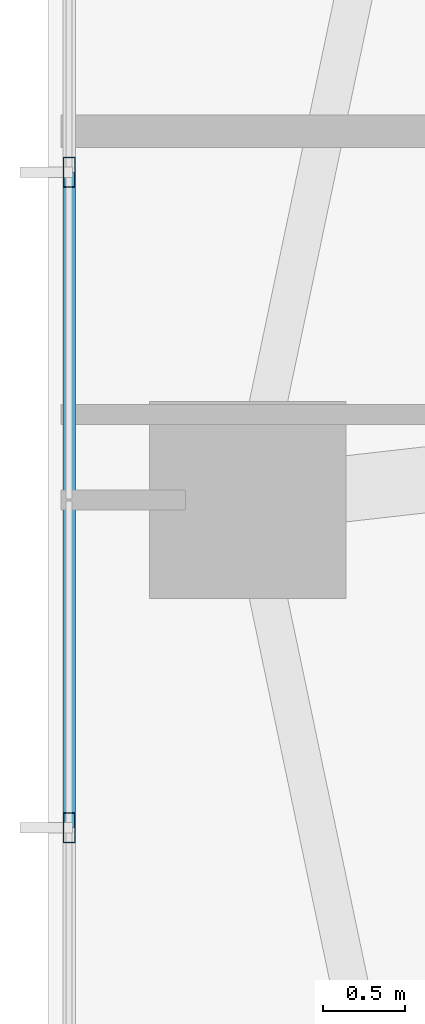
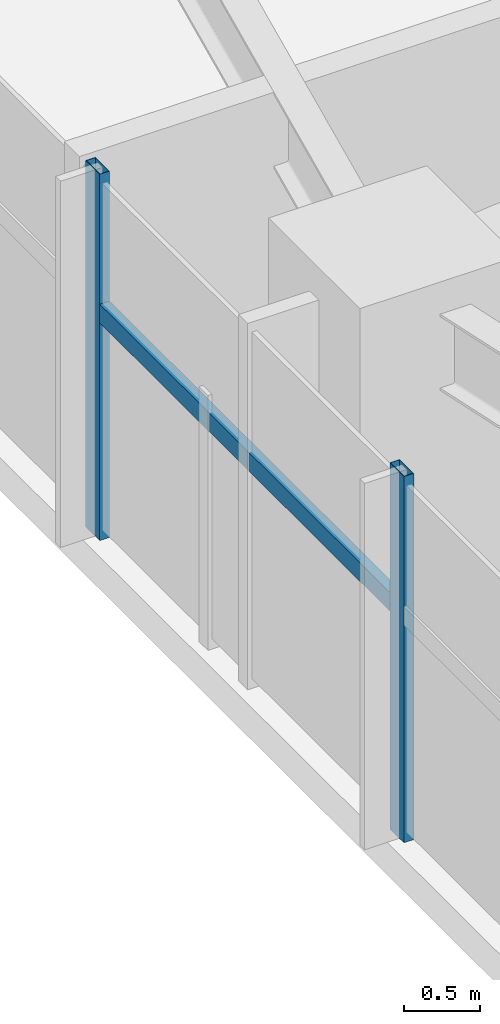
# One storey, part 4 of 25: 3 members, 1 element without a shape of its own.
"""IFC4 building model written with IfcOpenShell, lengths in metres."""

from ifc_helpers import new_model, si_unit, direction, frame, origin, origin_2d, place, context, subcontext, project, spatial, hollow_rectangle, extrude, source, transform, mapped, material, material_profile, profile_set, type_object, type_shapes, element, aggregate, save


model = new_model("IFC4")

# Units and contexts
model_context = context("Model", 3, precision=1e-05, world=origin(), true_north=direction((0.0, 1.0)))
body_context = subcontext(model_context, "Body", "Model", "MODEL_VIEW")
ifc_project = project(units=[si_unit("LENGTHUNIT", "METRE"), si_unit("AREAUNIT", "SQUARE_METRE"), si_unit("VOLUMEUNIT", "CUBIC_METRE"), si_unit("PLANEANGLEUNIT", "RADIAN"), si_unit("MASSUNIT", "GRAM", prefix="KILO")], contexts=[model_context])

# Site, building, storey
site_placement = place(None, origin())
site = spatial("IfcSite", under=ifc_project, at=site_placement, CompositionType="ELEMENT")
building_placement = place(site_placement, origin())
building = spatial("IfcBuilding", under=site, at=building_placement, Name="Astriad Promenade Condominiums", CompositionType="ELEMENT")
storey_placement = place(building_placement, frame((0.0, 0.0, 35.800048828125)))
storey = spatial("IfcBuildingStorey", under=building, at=storey_placement, Name="L09", CompositionType="ELEMENT", Elevation=35.800048828125)

# Curtain wall, members
ifc_material_1 = material(Name="Anodised aluminium Black Dark Glass Unitised", Category="aluminium")
curtain_wall_type = type_object("IfcCurtainWallType", Name="CW-B1-DARK", PredefinedType="USERDEFINED", material=ifc_material_1)
curtain_wall_placement = place(storey_placement, origin())
curtain_wall = element("IfcCurtainWall", 1, at=curtain_wall_placement, inside=storey, type_object=curtain_wall_type, Name="CW-L09-W", ObjectType="UNITISED_CURTAIN_WALL", PredefinedType="USERDEFINED")
ifc_material_2 = material(Name="Anodised aluminium 6063-T6 Black", Category="aluminium")
ifc_material_profile_1 = material_profile(ifc_material_2, hollow_rectangle(XDim=0.074951171875, YDim=0.18505859375, WallThickness=0.00439453125, at=origin_2d()), Name="ALU-MUL-75X185")
ifc_profile_set_1 = profile_set([ifc_material_profile_1], Name="Anodised aluminium 6063-T6 Black")
member_type_1 = type_object("IfcMemberType", Name="MUL-ALU-MUL-75X185", PredefinedType="MULLION", material=ifc_profile_set_1)
shared_shape_1 = source(origin(), body_context, "Body", "SweptSolid", [
    extrude(hollow_rectangle(XDim=0.074951171875, YDim=0.18505859375, WallThickness=0.00439453125, at=origin_2d()), origin(), (0.0, 0.0, 1.0), 2.93994140625),
])
type_shapes(member_type_1, [shared_shape_1])
member_1_placement = place(storey_placement, frame((5.929931640625, 13.199951171875, 0.0), z_axis=(0.0, 0.0, 1.0), x_axis=(1.0, 0.0, 0.0)))
member_1 = element("IfcMember", 2, at=member_1_placement, type_object=member_type_1, Name="CW-L09-W-MUL-02", PredefinedType="MULLION", context=body_context, shape_type="MappedRepresentation", body=[
    mapped(shared_shape_1, transform((0.0, 0.0, 0.0), scale=1.0)),
])
member_2_placement = place(storey_placement, frame((5.929931640625, 17.199951171875, 0.0), z_axis=(0.0, 0.0, 1.0), x_axis=(1.0, 0.0, 0.0)))
member_2 = element("IfcMember", 3, at=member_2_placement, type_object=member_type_1, Name="CW-L09-W-MUL-03", PredefinedType="MULLION", context=body_context, shape_type="MappedRepresentation", body=[
    mapped(shared_shape_1, transform((0.0, 0.0, 0.0), scale=1.0)),
])
ifc_material_profile_2 = material_profile(ifc_material_2, hollow_rectangle(XDim=0.074951171875, YDim=0.14990234375, WallThickness=0.004150390625, at=origin_2d()), Name="ALU-TRN-75X150")
ifc_profile_set_2 = profile_set([ifc_material_profile_2], Name="Anodised aluminium 6063-T6 Black")
member_type_2 = type_object("IfcMemberType", Name="TRN-ALU-TRN-75X150", PredefinedType="USERDEFINED", material=ifc_profile_set_2)
shared_shape_2 = source(origin(), body_context, "Body", "SweptSolid", [
    extrude(hollow_rectangle(XDim=0.074951171875, YDim=0.14990234375, WallThickness=0.004150390625, at=origin_2d()), origin(), (0.0, 0.0, 1.0), 4.0),
])
type_shapes(member_type_2, [shared_shape_2])
member_3_placement = place(storey_placement, frame((5.929931640625, 13.199951171875, 1.82275390625), z_axis=(0.0, 1.0, 0.0), x_axis=(-1.0, 0.0, 0.0)))
member_3 = element("IfcMember", 4, at=member_3_placement, type_object=member_type_2, Name="CW-L09-W-TRN-02-0", ObjectType="TRANSOM", PredefinedType="USERDEFINED", context=body_context, shape_type="MappedRepresentation", body=[
    mapped(shared_shape_2, transform((0.0, 0.0, 0.0), scale=1.0)),
])
aggregate(curtain_wall, [member_1, member_2, member_3])

save(model, "model.ifc")
